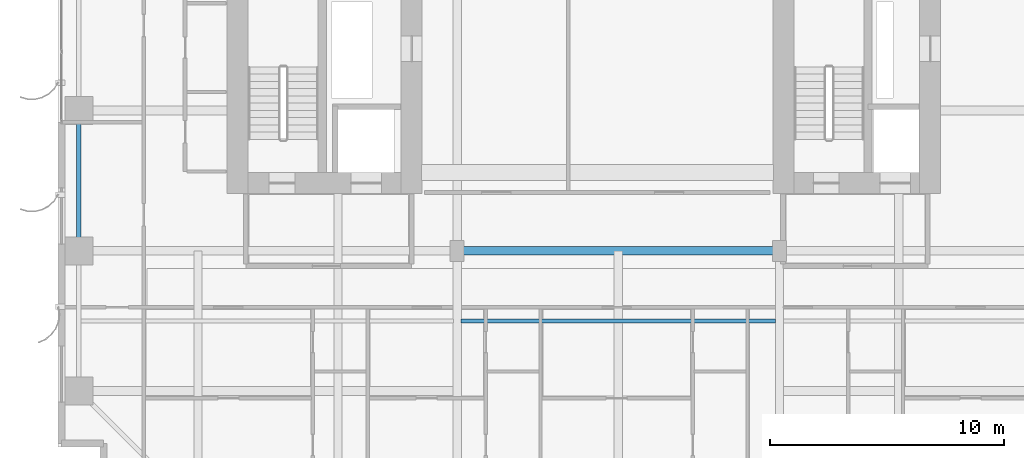
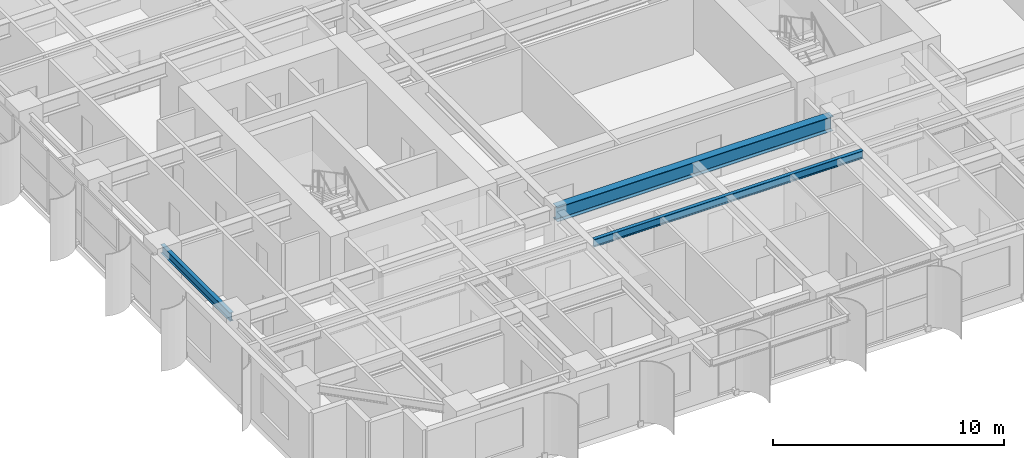
# One storey, part 4 of 26: 3 beams.
"""IFC4 building model written with IfcOpenShell, lengths in metres."""

from ifc_helpers import new_model, si_unit, direction, frame, origin, origin_2d, place, context, subcontext, project, spatial, i_section, extrude, source, transform, mapped, material, material_profile, profile_set, type_object, element, save


model = new_model("IFC4")

# Units and contexts
model_context = context("Model", 3, precision=1e-05, world=origin(), true_north=direction((0.0, 1.0)))
body_context = subcontext(model_context, "Body", "Model", "MODEL_VIEW")
ifc_project = project(units=[si_unit("LENGTHUNIT", "METRE"), si_unit("AREAUNIT", "SQUARE_METRE"), si_unit("VOLUMEUNIT", "CUBIC_METRE"), si_unit("PLANEANGLEUNIT", "RADIAN"), si_unit("MASSUNIT", "GRAM", prefix="KILO")], contexts=[model_context])

# Site, building, storey
site_placement = place(None, origin())
site = spatial("IfcSite", under=ifc_project, at=site_placement, CompositionType="ELEMENT")
building_placement = place(site_placement, origin())
building = spatial("IfcBuilding", under=site, at=building_placement, Name="Khoralis Quay Care Tower", CompositionType="ELEMENT")
storey_placement = place(building_placement, frame((0.0, 0.0, 26.10009765625)))
storey = spatial("IfcBuildingStorey", under=building, at=storey_placement, Name="L06", CompositionType="ELEMENT", Elevation=26.10009765625)

# Beams
ifc_material = material(Name="Steel S355", Category="steel")
ifc_material_profile_1 = material_profile(ifc_material, i_section(OverallWidth=0.18994140625, OverallDepth=0.449951171875, WebThickness=0.009521484375, FlangeThickness=0.0146484375, FilletRadius=0.02099609375, at=origin_2d()), Name="Steel S355")
ifc_profile_set_1 = profile_set([ifc_material_profile_1], Name="Steel S355")
beam_type_1 = type_object("IfcBeamType", Name="BM-IPE450", PredefinedType="SPANDREL", material=ifc_profile_set_1)
shared_shape_1 = source(origin(), body_context, "Body", "SweptSolid", [
    extrude(i_section(OverallWidth=0.18994140625, OverallDepth=0.449951171875, WebThickness=0.009521484375, FlangeThickness=0.0146484375, FilletRadius=0.02099609375, at=origin_2d()), origin(), (0.0, 0.0, 1.0), 6.0),
])
beam_1_placement = place(storey_placement, frame((0.89990234375, 12.0, 3.094970703125), z_axis=(0.0, 1.0, 0.0), x_axis=(-1.0, 0.0, 0.0)))
element("IfcBeam", 1, at=beam_1_placement, inside=storey, type_object=beam_type_1, Name="BM-TSP-L06-14", PredefinedType="SPANDREL", context=body_context, shape_type="MappedRepresentation", body=[
    mapped(shared_shape_1, transform((0.0, 0.0, 0.0), scale=1.0)),
])
ifc_material_profile_2 = material_profile(ifc_material, i_section(OverallWidth=0.381103515625, OverallDepth=0.77294921875, WebThickness=0.0166015625, FlangeThickness=0.027587890625, FilletRadius=0.02197265625, at=origin_2d()), Name="Steel S355")
ifc_profile_set_2 = profile_set([ifc_material_profile_2], Name="Steel S355")
beam_type_2 = type_object("IfcBeamType", Name="BM-W760X257", PredefinedType="BEAM", material=ifc_profile_set_2)
shared_shape_2 = source(origin(), body_context, "Body", "SweptSolid", [
    extrude(i_section(OverallWidth=0.381103515625, OverallDepth=0.77294921875, WebThickness=0.0166015625, FlangeThickness=0.027587890625, FilletRadius=0.02197265625, at=origin_2d()), origin(), (0.0, 0.0, 1.0), 13.7998046875),
])
beam_2_placement = place(storey_placement, frame((17.10009765625, 12.0, 2.933349609375), z_axis=(1.0, 0.0, 0.0), x_axis=(0.0, 1.0, 0.0)))
element("IfcBeam", 2, at=beam_2_placement, inside=storey, type_object=beam_type_2, Name="BM-TGCC-L06-120", PredefinedType="BEAM", context=body_context, shape_type="MappedRepresentation", body=[
    mapped(shared_shape_2, transform((0.0, 0.0, 0.0), scale=1.0)),
])
ifc_material_profile_3 = material_profile(ifc_material, i_section(OverallWidth=0.177978515625, OverallDepth=0.406982421875, WebThickness=0.0078125, FlangeThickness=0.0126953125, FilletRadius=0.012939453125, at=origin_2d()), Name="Steel S355")
ifc_profile_set_3 = profile_set([ifc_material_profile_3], Name="Steel S355")
beam_type_3 = type_object("IfcBeamType", Name="BM-W410X60", PredefinedType="JOIST", material=ifc_profile_set_3)
shared_shape_3 = source(origin(), body_context, "Body", "SweptSolid", [
    extrude(i_section(OverallWidth=0.177978515625, OverallDepth=0.406982421875, WebThickness=0.0078125, FlangeThickness=0.0126953125, FilletRadius=0.012939453125, at=origin_2d()), origin(), (0.0, 0.0, 1.0), 13.46923828125),
])
beam_3_placement = place(storey_placement, frame((17.265380859375, 9.0, 3.116455078125), z_axis=(1.0, 0.0, 0.0), x_axis=(0.0, 1.0, 0.0)))
element("IfcBeam", 3, at=beam_3_placement, inside=storey, type_object=beam_type_3, Name="BM-TJS-L06-31", PredefinedType="JOIST", context=body_context, shape_type="MappedRepresentation", body=[
    mapped(shared_shape_3, transform((0.0, 0.0, 0.0), scale=1.0)),
])

save(model, "model.ifc")
